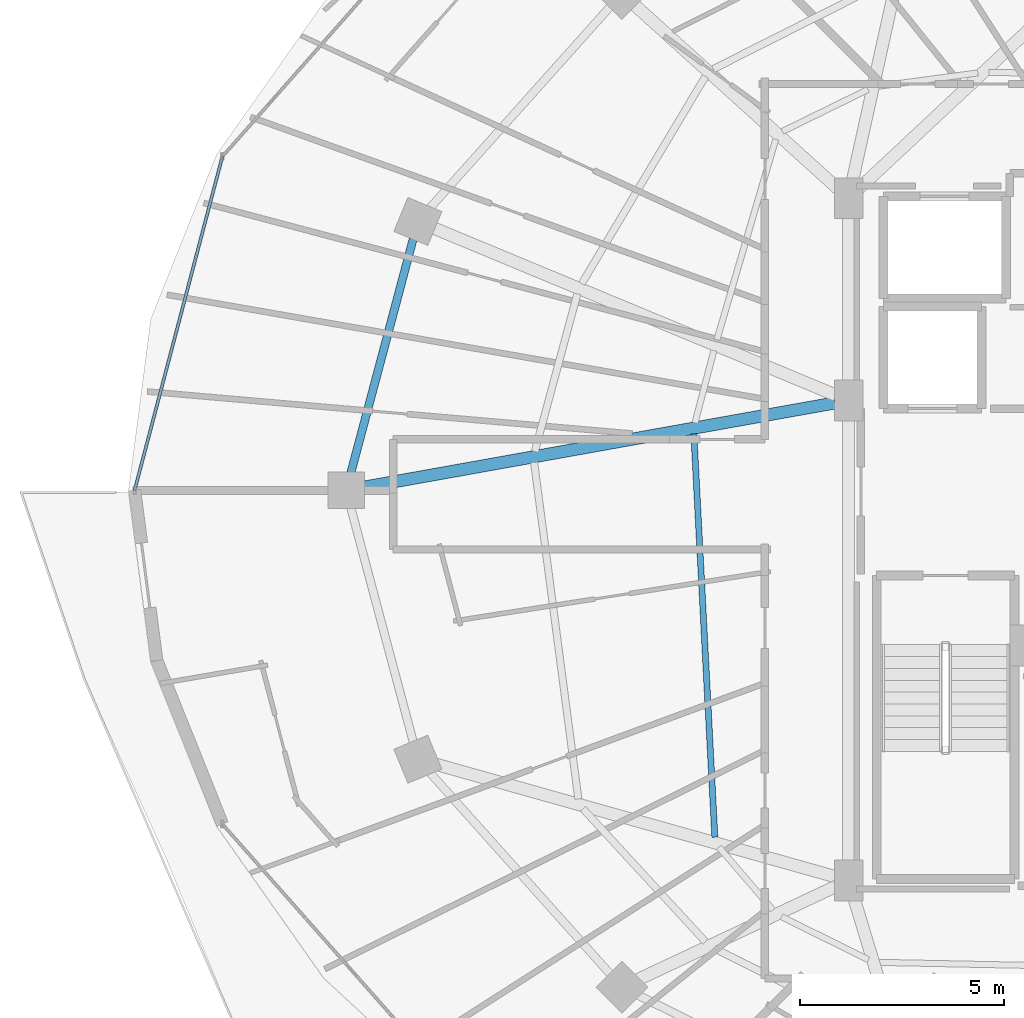
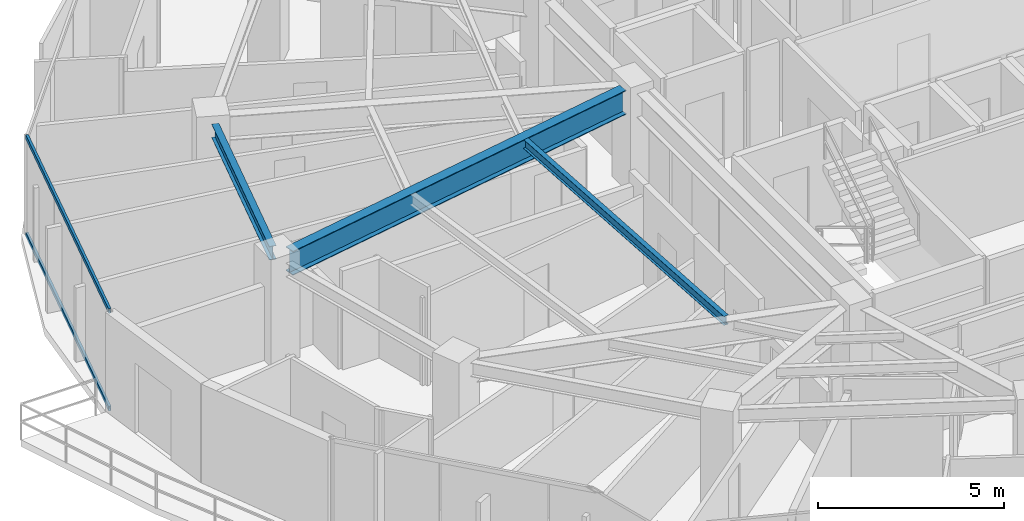
# One storey, part 8 of 33: 3 beams, 2 members, 1 element without a shape of its own.
"""IFC4 building model written with IfcOpenShell, lengths in metres."""

from ifc_helpers import new_model, si_unit, direction, frame, origin, origin_2d, place, context, subcontext, project, spatial, hollow_rectangle, i_section, extrude, material, material_profile, profile_set, type_object, element, aggregate, save


model = new_model("IFC4")

# Units and contexts
model_context = context("Model", 3, precision=1e-05, world=origin(), true_north=direction((0.0, 1.0)))
body_context = subcontext(model_context, "Body", "Model", "MODEL_VIEW")
ifc_project = project(units=[si_unit("LENGTHUNIT", "METRE"), si_unit("AREAUNIT", "SQUARE_METRE"), si_unit("VOLUMEUNIT", "CUBIC_METRE"), si_unit("PLANEANGLEUNIT", "RADIAN"), si_unit("MASSUNIT", "GRAM", prefix="KILO")], contexts=[model_context])

# Site, building, storey
site_placement = place(None, origin())
site = spatial("IfcSite", under=ifc_project, at=site_placement, CompositionType="ELEMENT")
building_placement = place(site_placement, origin())
building = spatial("IfcBuilding", under=site, at=building_placement, Name="Vorneva Point Tower", CompositionType="ELEMENT")
storey_placement = place(building_placement, frame((0.0, 0.0, 179.10009765625)))
storey = spatial("IfcBuildingStorey", under=building, at=storey_placement, Name="L48", CompositionType="ELEMENT", Elevation=179.10009765625)

# Beams
ifc_material_1 = material(Name="Steel S355", Category="steel")
ifc_material_profile_1 = material_profile(ifc_material_1, i_section(OverallWidth=0.300048828125, OverallDepth=0.7880859375, WebThickness=0.014404296875, FlangeThickness=0.02197265625, at=origin_2d()), Name="80Sh1")
ifc_profile_set_1 = profile_set([ifc_material_profile_1], Name="Steel S355")
beam_type_1 = type_object("IfcBeamType", Name="BM-GRD-80Sh1", PredefinedType="USERDEFINED", material=ifc_profile_set_1)
beam_1_placement = place(storey_placement, frame((15.381103515625, 26.0771484375, 2.845947265625), z_axis=(0.984378602255, 0.176064668298, 0.0), x_axis=(-0.176064668298, 0.984378602255, 0.0)))
element("IfcBeam", 1, at=beam_1_placement, inside=storey, type_object=beam_type_1, Name="L48 Radial Primary Girder 09", ObjectType="GIRDER", PredefinedType="USERDEFINED", context=body_context, shape_type="SweptSolid", body=[
    extrude(i_section(OverallWidth=0.300048828125, OverallDepth=0.7880859375, WebThickness=0.014404296875, FlangeThickness=0.02197265625, at=origin_2d()), origin(), (0.0, 0.0, 1.0), 11.71728515625),
])
ifc_material_profile_2 = material_profile(ifc_material_1, i_section(OverallWidth=0.14892578125, OverallDepth=0.298095703125, WebThickness=0.005615234375, FlangeThickness=0.008056640625, at=origin_2d()), Name="30B1")
ifc_profile_set_2 = profile_set([ifc_material_profile_2], Name="Steel S355")
beam_type_2 = type_object("IfcBeamType", Name="BM-JST-30B1", PredefinedType="JOIST", material=ifc_profile_set_2)
beam_2_placement = place(storey_placement, frame((23.462158203125, 27.38330078125, 3.0908203125), z_axis=(0.052014629383, -0.998646322944, 0.0), x_axis=(0.998646322944, 0.052014629383, 0.0)))
element("IfcBeam", 2, at=beam_2_placement, inside=storey, type_object=beam_type_2, Name="L48 Secondary Floor Beam 2.09", PredefinedType="JOIST", context=body_context, shape_type="SweptSolid", body=[
    extrude(i_section(OverallWidth=0.14892578125, OverallDepth=0.298095703125, WebThickness=0.005615234375, FlangeThickness=0.008056640625, at=origin_2d()), origin(), (0.0, 0.0, 1.0), 9.8896484375),
])
ifc_material_profile_3 = material_profile(ifc_material_1, i_section(OverallWidth=0.198974609375, OverallDepth=0.446044921875, WebThickness=0.008056640625, FlangeThickness=0.011962890625, at=origin_2d()), Name="45B1")
ifc_profile_set_3 = profile_set([ifc_material_profile_3], Name="Steel S355")
beam_type_3 = type_object("IfcBeamType", Name="BM-SPN-45B1", PredefinedType="SPANDREL", material=ifc_profile_set_3)
beam_3_placement = place(storey_placement, frame((16.592529296875, 32.161865234375, 3.016845703125), z_axis=(-0.257578258003, -0.966257440336, 0.0), x_axis=(0.966257440336, -0.257578258003, 0.0)))
element("IfcBeam", 3, at=beam_3_placement, inside=storey, type_object=beam_type_3, Name="L48 Perimeter Spandrel Ring Beam 08", PredefinedType="SPANDREL", context=body_context, shape_type="SweptSolid", body=[
    extrude(i_section(OverallWidth=0.198974609375, OverallDepth=0.446044921875, WebThickness=0.008056640625, FlangeThickness=0.011962890625, at=origin_2d()), origin(), (0.0, 0.0, 1.0), 5.94189453125),
])

# Curtain wall, members
ifc_material_2 = material(Name="Pale anodised aluminium", Category="aluminium")
curtain_wall_type = type_object("IfcCurtainWallType", Name="CW-RES-SYS", PredefinedType="NOTDEFINED", material=ifc_material_2)
curtain_wall_placement = place(storey_placement, origin())
curtain_wall = element("IfcCurtainWall", 4, at=curtain_wall_placement, inside=storey, type_object=curtain_wall_type, Name="L48 Unitised Curtain Wall CW-L48-R02", PredefinedType="NOTDEFINED")
ifc_material_profile_4 = material_profile(ifc_material_2, hollow_rectangle(XDim=0.074951171875, YDim=0.14990234375, WallThickness=0.00390625, at=origin_2d()), Name="AL-TRN 150x75x4")
ifc_profile_set_4 = profile_set([ifc_material_profile_4], Name="Pale anodised aluminium")
member_type = type_object("IfcMemberType", Name="CW-TRN-150", PredefinedType="USERDEFINED", material=ifc_profile_set_4)
member_1_placement = place(storey_placement, frame((11.9189453125, 34.17041015625, 0.02001953125), z_axis=(-0.254362431281, -0.967108966742, 0.0), x_axis=(0.967108966742, -0.254362431281, 0.0)))
member_1 = element("IfcMember", 5, at=member_1_placement, type_object=member_type, Name="CW-L48-R02 Transom 02.1", ObjectType="TRANSOM", PredefinedType="USERDEFINED", context=body_context, shape_type="SweptSolid", body=[
    extrude(hollow_rectangle(XDim=0.074951171875, YDim=0.14990234375, WallThickness=0.00390625, at=origin_2d()), origin(), (0.0, 0.0, 1.0), 8.4482421875),
])
member_2_placement = place(storey_placement, frame((11.9189453125, 34.17041015625, 3.219970703125), z_axis=(-0.254362431281, -0.967108966742, 0.0), x_axis=(0.967108966742, -0.254362431281, 0.0)))
member_2 = element("IfcMember", 6, at=member_2_placement, type_object=member_type, Name="CW-L48-R02 Transom 02.2", ObjectType="TRANSOM", PredefinedType="USERDEFINED", context=body_context, shape_type="SweptSolid", body=[
    extrude(hollow_rectangle(XDim=0.074951171875, YDim=0.14990234375, WallThickness=0.00390625, at=origin_2d()), origin(), (0.0, 0.0, 1.0), 8.4482421875),
])
aggregate(curtain_wall, [member_1, member_2])

save(model, "model.ifc")
